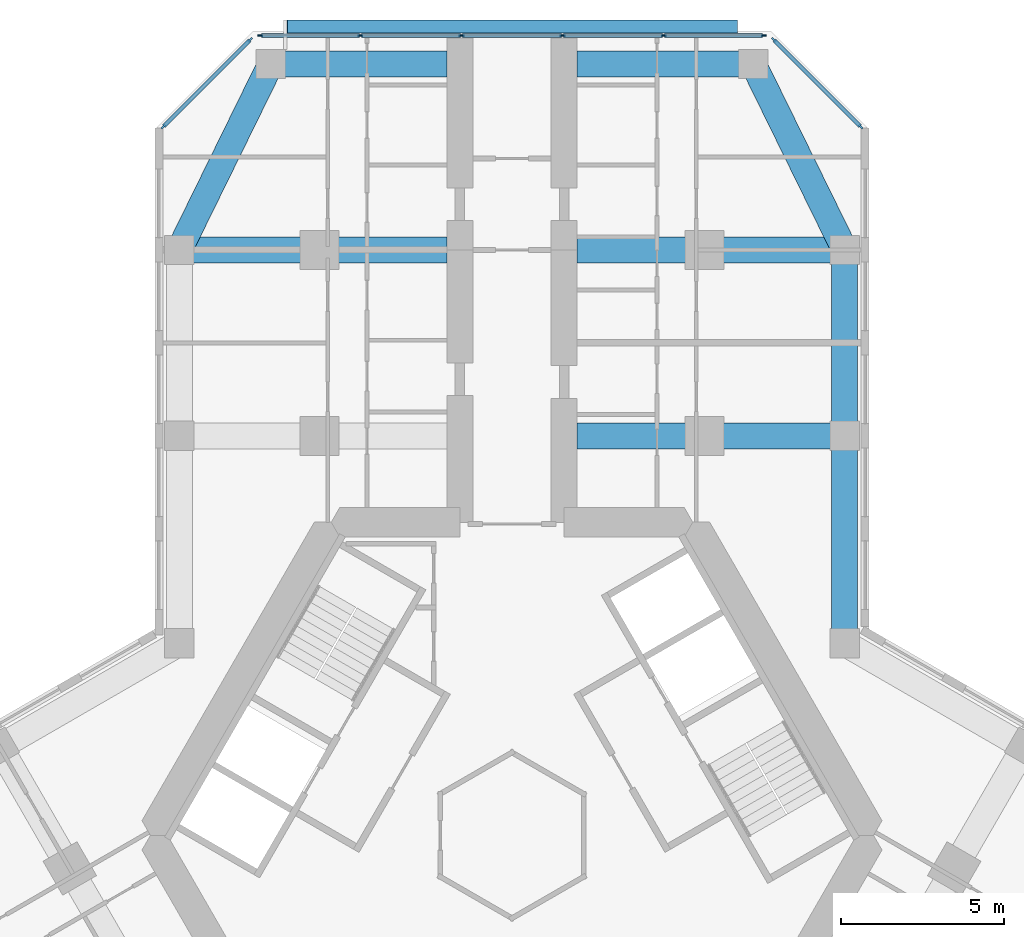
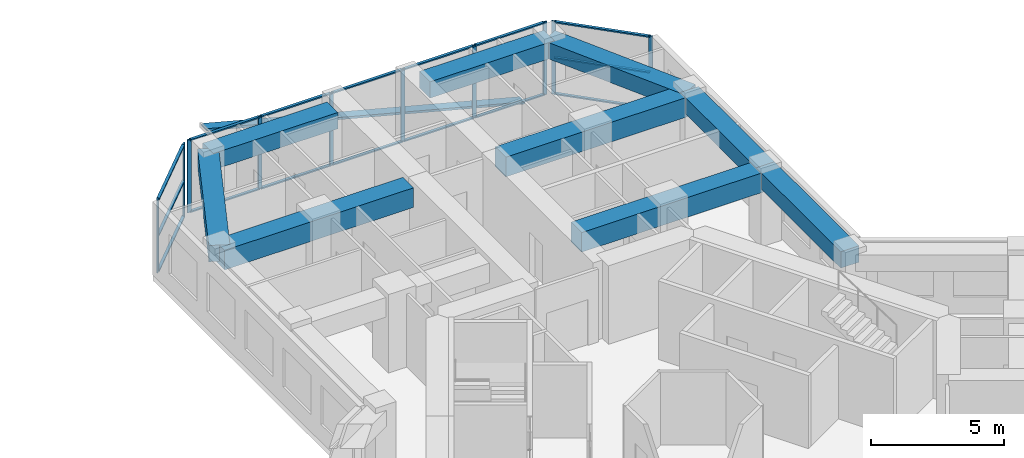
# One storey, part 7 of 19: 27 members, 9 beams, 3 elements without a shape of their own.
"""IFC4 building model written with IfcOpenShell, lengths in metres."""

from ifc_helpers import new_model, si_unit, direction, frame, origin, origin_2d, place, context, subcontext, project, spatial, rectangle, extrude, material, material_profile, profile_set, type_object, element, aggregate, save


model = new_model("IFC4")

# Units and contexts
model_context = context("Model", 3, precision=1e-05, world=origin(), true_north=direction((0.0, 1.0)))
body_context = subcontext(model_context, "Body", "Model", "MODEL_VIEW")
ifc_project = project(units=[si_unit("LENGTHUNIT", "METRE"), si_unit("AREAUNIT", "SQUARE_METRE"), si_unit("VOLUMEUNIT", "CUBIC_METRE"), si_unit("PLANEANGLEUNIT", "RADIAN"), si_unit("MASSUNIT", "GRAM", prefix="KILO")], contexts=[model_context])

# Site, building, storey
site_placement = place(None, origin())
site = spatial("IfcSite", under=ifc_project, at=site_placement, CompositionType="ELEMENT")
building_placement = place(site_placement, origin())
building = spatial("IfcBuilding", under=site, at=building_placement, Name="Kosmar Iwan School Tower", CompositionType="ELEMENT")
storey_placement = place(building_placement, frame((0.0, 0.0, 145.39990234375)))
storey = spatial("IfcBuildingStorey", under=building, at=storey_placement, Name="L36", CompositionType="ELEMENT", Elevation=145.39990234375)

# Member
ifc_material_1 = material(Name="Black anodised aluminium", Category="aluminium")
ifc_material_profile_1 = material_profile(ifc_material_1, rectangle(XDim=0.10009765625, YDim=0.39990234375, at=origin_2d()), Name="FIN 100x400")
ifc_profile_set_1 = profile_set([ifc_material_profile_1], Name="Black anodised aluminium")
member_type_1 = type_object("IfcMemberType", Name="Diagonal fin 100x400", PredefinedType="USERDEFINED", material=ifc_profile_set_1)
member_1_placement = place(storey_placement, frame((6.898193359375, 24.800048828125, -0.14990234375), z_axis=(-0.967599450335, 0.0, 0.252490205179), x_axis=(0.252490205179, 0.0, 0.967599450335)))
element("IfcMember", 1, at=member_1_placement, inside=storey, type_object=member_type_1, Name="Diagonal fin L36-F08", ObjectType="FIN", PredefinedType="USERDEFINED", context=body_context, shape_type="SweptSolid", body=[
    extrude(rectangle(XDim=0.10009765625, YDim=0.39990234375, at=origin_2d()), origin(), (0.0, 0.0, 1.0), 14.25830078125),
])

# Curtain wall, members
ifc_material_2 = material(Name="Dark glass in black aluminium frame", Category="aluminium")
curtain_wall_type_1 = type_object("IfcCurtainWallType", Name="Chamfer curtain wall dark glass", PredefinedType="USERDEFINED", material=ifc_material_2)
curtain_wall_1_placement = place(storey_placement, origin())
curtain_wall_1 = element("IfcCurtainWall", 2, at=curtain_wall_1_placement, inside=storey, type_object=curtain_wall_type_1, Name="Curtain wall L36-F07", ObjectType="FACETED CURTAIN WALL", PredefinedType="USERDEFINED")
ifc_material_3 = material(Name="Black anodised aluminium", Category="aluminium")
ifc_material_profile_2 = material_profile(ifc_material_3, rectangle(XDim=0.06005859375, YDim=0.159912109375, at=origin_2d()), Name="MULLION 60x160")
ifc_profile_set_2 = profile_set([ifc_material_profile_2], Name="Black anodised aluminium")
member_type_2 = type_object("IfcMemberType", Name="Mullion 60x160", PredefinedType="MULLION", material=ifc_profile_set_2)
member_2_placement = place(storey_placement, frame((10.69775390625, 21.7255859375, 0.0), z_axis=(0.0, 0.0, 1.0), x_axis=(-0.707106781187, -0.707106781187, 0.0)))
member_2 = element("IfcMember", 3, at=member_2_placement, type_object=member_type_2, Name="CW2 mullion 1", PredefinedType="MULLION", context=body_context, shape_type="SweptSolid", body=[
    extrude(rectangle(XDim=0.06005859375, YDim=0.159912109375, at=origin_2d()), origin(), (0.0, 0.0, 1.0), 3.35009765625),
])
member_3_placement = place(storey_placement, frame((8.025390625, 24.397705078125, 0.0), z_axis=(0.0, 0.0, 1.0), x_axis=(-0.707106781187, -0.707106781187, 0.0)))
member_3 = element("IfcMember", 4, at=member_3_placement, type_object=member_type_2, Name="CW2 mullion 2", PredefinedType="MULLION", context=body_context, shape_type="SweptSolid", body=[
    extrude(rectangle(XDim=0.06005859375, YDim=0.159912109375, at=origin_2d()), origin(), (0.0, 0.0, 1.0), 3.35009765625),
])

ifc_material_4 = material(Name="Dark glass in black aluminium frame", Category="aluminium")
curtain_wall_type_2 = type_object("IfcCurtainWallType", Name="Tower curtain wall dark glass", PredefinedType="USERDEFINED", material=ifc_material_4)
curtain_wall_2_placement = place(storey_placement, origin())
curtain_wall_2 = element("IfcCurtainWall", 5, at=curtain_wall_2_placement, inside=storey, type_object=curtain_wall_type_2, Name="Curtain wall L36-F08", ObjectType="UNITISED CURTAIN WALL", PredefinedType="USERDEFINED")
member_4_placement = place(storey_placement, frame((7.71826171875, 24.52490234375, 0.0), z_axis=(0.0, 0.0, 1.0), x_axis=(0.0, -1.0, 0.0)))
member_4 = element("IfcMember", 6, at=member_4_placement, type_object=member_type_2, Name="CW1 mullion 1", PredefinedType="MULLION", context=body_context, shape_type="SweptSolid", body=[
    extrude(rectangle(XDim=0.06005859375, YDim=0.159912109375, at=origin_2d()), origin(), (0.0, 0.0, 1.0), 3.35009765625),
])
member_5_placement = place(storey_placement, frame((4.64892578125, 24.52490234375, 0.0), z_axis=(0.0, 0.0, 1.0), x_axis=(0.0, -1.0, 0.0)))
member_5 = element("IfcMember", 7, at=member_5_placement, type_object=member_type_2, Name="CW1 mullion 2", PredefinedType="MULLION", context=body_context, shape_type="SweptSolid", body=[
    extrude(rectangle(XDim=0.06005859375, YDim=0.159912109375, at=origin_2d()), origin(), (0.0, 0.0, 1.0), 3.35009765625),
])
member_6_placement = place(storey_placement, frame((1.549560546875, 24.52490234375, 0.0), z_axis=(0.0, 0.0, 1.0), x_axis=(0.0, -1.0, 0.0)))
member_6 = element("IfcMember", 8, at=member_6_placement, type_object=member_type_2, Name="CW1 mullion 3", PredefinedType="MULLION", context=body_context, shape_type="SweptSolid", body=[
    extrude(rectangle(XDim=0.06005859375, YDim=0.159912109375, at=origin_2d()), origin(), (0.0, 0.0, 1.0), 3.35009765625),
])
member_7_placement = place(storey_placement, frame((-1.549560546875, 24.52490234375, 0.0), z_axis=(0.0, 0.0, 1.0), x_axis=(0.0, -1.0, 0.0)))
member_7 = element("IfcMember", 9, at=member_7_placement, type_object=member_type_2, Name="CW1 mullion 4", PredefinedType="MULLION", context=body_context, shape_type="SweptSolid", body=[
    extrude(rectangle(XDim=0.06005859375, YDim=0.159912109375, at=origin_2d()), origin(), (0.0, 0.0, 1.0), 3.35009765625),
])
member_8_placement = place(storey_placement, frame((-4.64892578125, 24.52490234375, 0.0), z_axis=(0.0, 0.0, 1.0), x_axis=(0.0, -1.0, 0.0)))
member_8 = element("IfcMember", 10, at=member_8_placement, type_object=member_type_2, Name="CW1 mullion 5", PredefinedType="MULLION", context=body_context, shape_type="SweptSolid", body=[
    extrude(rectangle(XDim=0.06005859375, YDim=0.159912109375, at=origin_2d()), origin(), (0.0, 0.0, 1.0), 3.35009765625),
])
member_9_placement = place(storey_placement, frame((-7.71826171875, 24.52490234375, 0.0), z_axis=(0.0, 0.0, 1.0), x_axis=(0.0, -1.0, 0.0)))
member_9 = element("IfcMember", 11, at=member_9_placement, type_object=member_type_2, Name="CW1 mullion 6", PredefinedType="MULLION", context=body_context, shape_type="SweptSolid", body=[
    extrude(rectangle(XDim=0.06005859375, YDim=0.159912109375, at=origin_2d()), origin(), (0.0, 0.0, 1.0), 3.35009765625),
])

curtain_wall_3_placement = place(storey_placement, origin())
curtain_wall_3 = element("IfcCurtainWall", 12, at=curtain_wall_3_placement, inside=storey, type_object=curtain_wall_type_1, Name="Curtain wall L36-F09", ObjectType="FACETED CURTAIN WALL", PredefinedType="USERDEFINED")
member_10_placement = place(storey_placement, frame((-8.025390625, 24.397705078125, 0.0), z_axis=(0.0, 0.0, 1.0), x_axis=(0.707106781187, -0.707106781187, 0.0)))
member_10 = element("IfcMember", 13, at=member_10_placement, type_object=member_type_2, Name="CW2 mullion 1", PredefinedType="MULLION", context=body_context, shape_type="SweptSolid", body=[
    extrude(rectangle(XDim=0.06005859375, YDim=0.159912109375, at=origin_2d()), origin(), (0.0, 0.0, 1.0), 3.35009765625),
])
member_11_placement = place(storey_placement, frame((-10.69775390625, 21.7255859375, 0.0), z_axis=(0.0, 0.0, 1.0), x_axis=(0.707106781187, -0.707106781187, 0.0)))
member_11 = element("IfcMember", 14, at=member_11_placement, type_object=member_type_2, Name="CW2 mullion 2", PredefinedType="MULLION", context=body_context, shape_type="SweptSolid", body=[
    extrude(rectangle(XDim=0.06005859375, YDim=0.159912109375, at=origin_2d()), origin(), (0.0, 0.0, 1.0), 3.35009765625),
])

# Beams
ifc_material_5 = material(Name="Concrete C50/60", Category="concrete")
ifc_material_profile_3 = material_profile(ifc_material_5, rectangle(XDim=0.800048828125, YDim=0.75, at=origin_2d()), Name="RC 800x750")
ifc_profile_set_3 = profile_set([ifc_material_profile_3], Name="Concrete C50/60")
beam_type_1 = type_object("IfcBeamType", Name="RC edge beam 800x750", PredefinedType="BEAM", material=ifc_profile_set_3)
beam_1_placement = place(storey_placement, frame((10.199951171875, 5.888916015625, 2.97509765625), z_axis=(0.0, 1.0, 0.0), x_axis=(-1.0, 0.0, 0.0)))
element("IfcBeam", 15, at=beam_1_placement, inside=storey, type_object=beam_type_1, Name="Edge beam AR1", PredefinedType="BEAM", context=body_context, shape_type="SweptSolid", body=[
    extrude(rectangle(XDim=0.800048828125, YDim=0.75, at=origin_2d()), origin(), (0.0, 0.0, 1.0), 6.361083984375),
])
beam_2_placement = place(storey_placement, frame((10.199951171875, 12.25, 2.97509765625), z_axis=(0.0, 1.0, 0.0), x_axis=(-1.0, 0.0, 0.0)))
element("IfcBeam", 16, at=beam_2_placement, inside=storey, type_object=beam_type_1, Name="Edge beam AR2", PredefinedType="BEAM", context=body_context, shape_type="SweptSolid", body=[
    extrude(rectangle(XDim=0.800048828125, YDim=0.75, at=origin_2d()), origin(), (0.0, 0.0, 1.0), 5.699951171875),
])
ifc_material_6 = material(Name="Concrete C50/60", Category="concrete")
ifc_material_profile_4 = material_profile(ifc_material_6, rectangle(XDim=0.800048828125, YDim=0.75, at=origin_2d()), Name="RC 800x750")
ifc_profile_set_4 = profile_set([ifc_material_profile_4], Name="Concrete C50/60")
beam_type_2 = type_object("IfcBeamType", Name="RC tip beam 800x750", PredefinedType="BEAM", material=ifc_profile_set_4)
beam_3_placement = place(storey_placement, frame((-10.199951171875, 17.949951171875, 2.97509765625), z_axis=(0.440913116462, 0.897549788999, 0.0), x_axis=(-0.897549788999, 0.440913116462, 0.0)))
element("IfcBeam", 17, at=beam_3_placement, inside=storey, type_object=beam_type_2, Name="Tip beam AL", PredefinedType="BEAM", context=body_context, shape_type="SweptSolid", body=[
    extrude(rectangle(XDim=0.800048828125, YDim=0.75, at=origin_2d()), origin(), (0.0, 0.0, 1.0), 6.3505859375),
])
beam_4_placement = place(storey_placement, frame((-7.39990234375, 23.64990234375, 2.97509765625), z_axis=(1.0, 0.0, 0.0), x_axis=(0.0, 1.0, 0.0)))
element("IfcBeam", 18, at=beam_4_placement, inside=storey, type_object=beam_type_2, Name="Tip beam AL to corridor wall", PredefinedType="BEAM", context=body_context, shape_type="SweptSolid", body=[
    extrude(rectangle(XDim=0.800048828125, YDim=0.75, at=origin_2d()), origin(), (0.0, 0.0, 1.0), 5.39990234375),
])
beam_5_placement = place(storey_placement, frame((10.199951171875, 17.949951171875, 2.97509765625), z_axis=(-0.440913116462, 0.897549788999, 0.0), x_axis=(-0.897549788999, -0.440913116462, 0.0)))
element("IfcBeam", 19, at=beam_5_placement, inside=storey, type_object=beam_type_2, Name="Tip beam AR", PredefinedType="BEAM", context=body_context, shape_type="SweptSolid", body=[
    extrude(rectangle(XDim=0.800048828125, YDim=0.75, at=origin_2d()), origin(), (0.0, 0.0, 1.0), 6.3505859375),
])
beam_6_placement = place(storey_placement, frame((7.39990234375, 23.64990234375, 2.97509765625), z_axis=(-1.0, 0.0, 0.0), x_axis=(0.0, -1.0, 0.0)))
element("IfcBeam", 20, at=beam_6_placement, inside=storey, type_object=beam_type_2, Name="Tip beam AR to corridor wall", PredefinedType="BEAM", context=body_context, shape_type="SweptSolid", body=[
    extrude(rectangle(XDim=0.800048828125, YDim=0.75, at=origin_2d()), origin(), (0.0, 0.0, 1.0), 5.39990234375),
])
ifc_material_7 = material(Name="Concrete C50/60", Category="concrete")
ifc_material_profile_5 = material_profile(ifc_material_7, rectangle(XDim=0.800048828125, YDim=0.89990234375, at=origin_2d()), Name="RC 800x900")
ifc_profile_set_5 = profile_set([ifc_material_profile_5], Name="Concrete C50/60")
beam_type_3 = type_object("IfcBeamType", Name="RC transverse beam 800x900", PredefinedType="BEAM", material=ifc_profile_set_5)
for number, where, z_axis, x_axis, name in (
    (21, (-10.199951171875, 17.949951171875, 2.900146484375), (1.0, 0.0, 0.0), (0.0, 1.0, 0.0), "Transverse beam AL2"),
    (22, (10.199951171875, 12.25, 2.900146484375), (-1.0, 0.0, 0.0), (0.0, -1.0, 0.0), "Transverse beam AR1"),
    (23, (10.199951171875, 17.949951171875, 2.900146484375), (-1.0, 0.0, 0.0), (0.0, -1.0, 0.0), "Transverse beam AR2"),
):
    element("IfcBeam", number, at=place(storey_placement, frame(where, z_axis=z_axis, x_axis=x_axis)), inside=storey, type_object=beam_type_3, Name=name, PredefinedType="BEAM", context=body_context, shape_type="SweptSolid", body=[
        extrude(rectangle(XDim=0.800048828125, YDim=0.89990234375, at=origin_2d()), origin(), (0.0, 0.0, 1.0), 8.199951171875),
    ])

# Member
ifc_material_8 = material(Name="Black anodised aluminium", Category="aluminium")
ifc_material_profile_6 = material_profile(ifc_material_8, rectangle(XDim=0.1201171875, YDim=0.06005859375, at=origin_2d()), Name="TRANSOM 60x120")
ifc_profile_set_6 = profile_set([ifc_material_profile_6], Name="Black anodised aluminium")
member_type_3 = type_object("IfcMemberType", Name="Transom 60x120", PredefinedType="USERDEFINED", material=ifc_profile_set_6)
member_12_placement = place(storey_placement, frame((10.676513671875, 21.746826171875, 0.030029296875), z_axis=(-0.707139603466, 0.707073957383, 0.0), x_axis=(-0.707073957383, -0.707139603466, 0.0)))
member_12 = element("IfcMember", 24, at=member_12_placement, type_object=member_type_3, Name="CW2 transom 1.1", ObjectType="TRANSOM", PredefinedType="USERDEFINED", context=body_context, shape_type="SweptSolid", body=[
    extrude(rectangle(XDim=0.1201171875, YDim=0.06005859375, at=origin_2d()), origin(), (0.0, 0.0, 1.0), 3.718994140625),
])

member_13_placement = place(storey_placement, frame((10.676513671875, 21.746826171875, 1.675048828125), z_axis=(-0.707139603466, 0.707073957383, 0.0), x_axis=(-0.707073957383, -0.707139603466, 0.0)))
member_13 = element("IfcMember", 25, at=member_13_placement, type_object=member_type_3, Name="CW2 transom 1.2", ObjectType="TRANSOM", PredefinedType="USERDEFINED", context=body_context, shape_type="SweptSolid", body=[
    extrude(rectangle(XDim=0.1201171875, YDim=0.06005859375, at=origin_2d()), origin(), (0.0, 0.0, 1.0), 3.718994140625),
])

member_14_placement = place(storey_placement, frame((10.676513671875, 21.746826171875, 3.320068359375), z_axis=(-0.707139603466, 0.707073957383, 0.0), x_axis=(-0.707073957383, -0.707139603466, 0.0)))
member_14 = element("IfcMember", 26, at=member_14_placement, type_object=member_type_3, Name="CW2 transom 1.3", ObjectType="TRANSOM", PredefinedType="USERDEFINED", context=body_context, shape_type="SweptSolid", body=[
    extrude(rectangle(XDim=0.1201171875, YDim=0.06005859375, at=origin_2d()), origin(), (0.0, 0.0, 1.0), 3.718994140625),
])

aggregate(curtain_wall_1, [member_2, member_3, member_12, member_13, member_14])

member_15_placement = place(storey_placement, frame((7.688232421875, 24.52490234375, 0.030029296875), z_axis=(-1.0, 0.0, 0.0), x_axis=(0.0, -1.0, 0.0)))
member_15 = element("IfcMember", 27, at=member_15_placement, type_object=member_type_3, Name="CW1 transom 1.1", ObjectType="TRANSOM", PredefinedType="USERDEFINED", context=body_context, shape_type="SweptSolid", body=[
    extrude(rectangle(XDim=0.1201171875, YDim=0.06005859375, at=origin_2d()), origin(), (0.0, 0.0, 1.0), 3.00927734375),
])

member_16_placement = place(storey_placement, frame((7.688232421875, 24.52490234375, 3.320068359375), z_axis=(-1.0, 0.0, 0.0), x_axis=(0.0, -1.0, 0.0)))
member_16 = element("IfcMember", 28, at=member_16_placement, type_object=member_type_3, Name="CW1 transom 1.2", ObjectType="TRANSOM", PredefinedType="USERDEFINED", context=body_context, shape_type="SweptSolid", body=[
    extrude(rectangle(XDim=0.1201171875, YDim=0.06005859375, at=origin_2d()), origin(), (0.0, 0.0, 1.0), 3.00927734375),
])

member_17_placement = place(storey_placement, frame((4.618896484375, 24.52490234375, 0.030029296875), z_axis=(-1.0, 0.0, 0.0), x_axis=(0.0, -1.0, 0.0)))
member_17 = element("IfcMember", 29, at=member_17_placement, type_object=member_type_3, Name="CW1 transom 2.1", ObjectType="TRANSOM", PredefinedType="USERDEFINED", context=body_context, shape_type="SweptSolid", body=[
    extrude(rectangle(XDim=0.1201171875, YDim=0.06005859375, at=origin_2d()), origin(), (0.0, 0.0, 1.0), 3.039306640625),
])

member_18_placement = place(storey_placement, frame((4.618896484375, 24.52490234375, 3.320068359375), z_axis=(-1.0, 0.0, 0.0), x_axis=(0.0, -1.0, 0.0)))
member_18 = element("IfcMember", 30, at=member_18_placement, type_object=member_type_3, Name="CW1 transom 2.2", ObjectType="TRANSOM", PredefinedType="USERDEFINED", context=body_context, shape_type="SweptSolid", body=[
    extrude(rectangle(XDim=0.1201171875, YDim=0.06005859375, at=origin_2d()), origin(), (0.0, 0.0, 1.0), 3.039306640625),
])

member_19_placement = place(storey_placement, frame((1.51953125, 24.52490234375, 0.030029296875), z_axis=(-1.0, 0.0, 0.0), x_axis=(0.0, -1.0, 0.0)))
member_19 = element("IfcMember", 31, at=member_19_placement, type_object=member_type_3, Name="CW1 transom 3.1", ObjectType="TRANSOM", PredefinedType="USERDEFINED", context=body_context, shape_type="SweptSolid", body=[
    extrude(rectangle(XDim=0.1201171875, YDim=0.06005859375, at=origin_2d()), origin(), (0.0, 0.0, 1.0), 3.0390625),
])

member_20_placement = place(storey_placement, frame((1.51953125, 24.52490234375, 3.320068359375), z_axis=(-1.0, 0.0, 0.0), x_axis=(0.0, -1.0, 0.0)))
member_20 = element("IfcMember", 32, at=member_20_placement, type_object=member_type_3, Name="CW1 transom 3.2", ObjectType="TRANSOM", PredefinedType="USERDEFINED", context=body_context, shape_type="SweptSolid", body=[
    extrude(rectangle(XDim=0.1201171875, YDim=0.06005859375, at=origin_2d()), origin(), (0.0, 0.0, 1.0), 3.0390625),
])

member_21_placement = place(storey_placement, frame((-1.57958984375, 24.52490234375, 0.030029296875), z_axis=(-1.0, 0.0, 0.0), x_axis=(0.0, -1.0, 0.0)))
member_21 = element("IfcMember", 33, at=member_21_placement, type_object=member_type_3, Name="CW1 transom 4.1", ObjectType="TRANSOM", PredefinedType="USERDEFINED", context=body_context, shape_type="SweptSolid", body=[
    extrude(rectangle(XDim=0.1201171875, YDim=0.06005859375, at=origin_2d()), origin(), (0.0, 0.0, 1.0), 3.039306640625),
])

member_22_placement = place(storey_placement, frame((-1.57958984375, 24.52490234375, 3.320068359375), z_axis=(-1.0, 0.0, 0.0), x_axis=(0.0, -1.0, 0.0)))
member_22 = element("IfcMember", 34, at=member_22_placement, type_object=member_type_3, Name="CW1 transom 4.2", ObjectType="TRANSOM", PredefinedType="USERDEFINED", context=body_context, shape_type="SweptSolid", body=[
    extrude(rectangle(XDim=0.1201171875, YDim=0.06005859375, at=origin_2d()), origin(), (0.0, 0.0, 1.0), 3.039306640625),
])

member_23_placement = place(storey_placement, frame((-4.678955078125, 24.52490234375, 0.030029296875), z_axis=(-1.0, 0.0, 0.0), x_axis=(0.0, -1.0, 0.0)))
member_23 = element("IfcMember", 35, at=member_23_placement, type_object=member_type_3, Name="CW1 transom 5.1", ObjectType="TRANSOM", PredefinedType="USERDEFINED", context=body_context, shape_type="SweptSolid", body=[
    extrude(rectangle(XDim=0.1201171875, YDim=0.06005859375, at=origin_2d()), origin(), (0.0, 0.0, 1.0), 3.00927734375),
])

member_24_placement = place(storey_placement, frame((-4.678955078125, 24.52490234375, 3.320068359375), z_axis=(-1.0, 0.0, 0.0), x_axis=(0.0, -1.0, 0.0)))
member_24 = element("IfcMember", 36, at=member_24_placement, type_object=member_type_3, Name="CW1 transom 5.2", ObjectType="TRANSOM", PredefinedType="USERDEFINED", context=body_context, shape_type="SweptSolid", body=[
    extrude(rectangle(XDim=0.1201171875, YDim=0.06005859375, at=origin_2d()), origin(), (0.0, 0.0, 1.0), 3.00927734375),
])

aggregate(curtain_wall_2, [member_4, member_5, member_6, member_7, member_8, member_9, member_15, member_16, member_17, member_18, member_19, member_20, member_21, member_22, member_23, member_24])

member_25_placement = place(storey_placement, frame((-8.046630859375, 24.37646484375, 0.030029296875), z_axis=(-0.707139603466, -0.707073957383, 0.0), x_axis=(0.707073957383, -0.707139603466, 0.0)))
member_25 = element("IfcMember", 37, at=member_25_placement, type_object=member_type_3, Name="CW2 transom 1.1", ObjectType="TRANSOM", PredefinedType="USERDEFINED", context=body_context, shape_type="SweptSolid", body=[
    extrude(rectangle(XDim=0.1201171875, YDim=0.06005859375, at=origin_2d()), origin(), (0.0, 0.0, 1.0), 3.718994140625),
])

member_26_placement = place(storey_placement, frame((-8.046630859375, 24.37646484375, 1.675048828125), z_axis=(-0.707139603466, -0.707073957383, 0.0), x_axis=(0.707073957383, -0.707139603466, 0.0)))
member_26 = element("IfcMember", 38, at=member_26_placement, type_object=member_type_3, Name="CW2 transom 1.2", ObjectType="TRANSOM", PredefinedType="USERDEFINED", context=body_context, shape_type="SweptSolid", body=[
    extrude(rectangle(XDim=0.1201171875, YDim=0.06005859375, at=origin_2d()), origin(), (0.0, 0.0, 1.0), 3.718994140625),
])

member_27_placement = place(storey_placement, frame((-8.046630859375, 24.37646484375, 3.320068359375), z_axis=(-0.707139603466, -0.707073957383, 0.0), x_axis=(0.707073957383, -0.707139603466, 0.0)))
member_27 = element("IfcMember", 39, at=member_27_placement, type_object=member_type_3, Name="CW2 transom 1.3", ObjectType="TRANSOM", PredefinedType="USERDEFINED", context=body_context, shape_type="SweptSolid", body=[
    extrude(rectangle(XDim=0.1201171875, YDim=0.06005859375, at=origin_2d()), origin(), (0.0, 0.0, 1.0), 3.718994140625),
])

aggregate(curtain_wall_3, [member_10, member_11, member_25, member_26, member_27])

save(model, "model.ifc")
